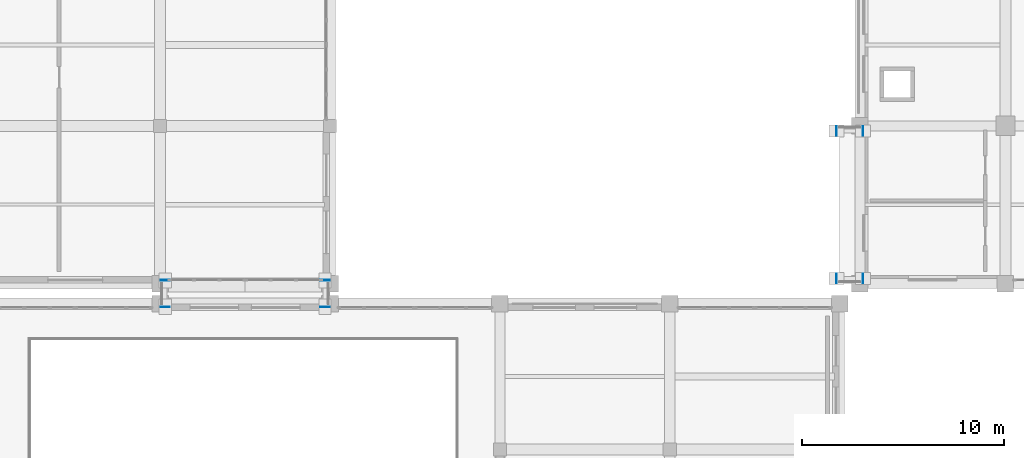
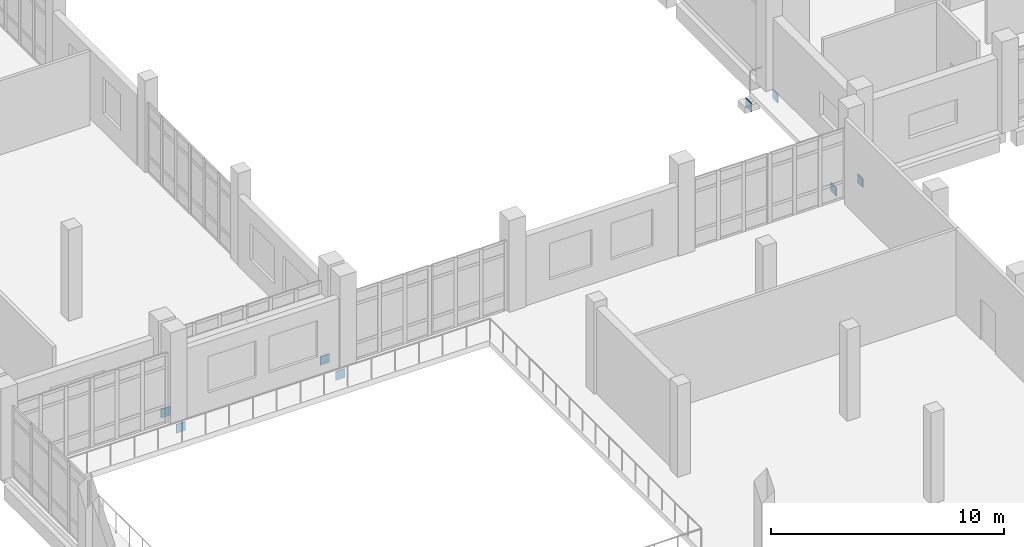
# One storey, part 74 of 90: 8 discrete accessories.
"""IFC4 building model written with IfcOpenShell, lengths in metres."""

from ifc_helpers import new_model, si_unit, direction, frame, origin, origin_2d, place, context, subcontext, project, spatial, rectangle, extrude, material, material_profile, profile_set, type_object, element, save


model = new_model("IFC4")

# Units and contexts
model_context = context("Model", 3, precision=1e-05, world=origin(), true_north=direction((0.0, 1.0)))
body_context = subcontext(model_context, "Body", "Model", "MODEL_VIEW")
ifc_project = project(units=[si_unit("LENGTHUNIT", "METRE"), si_unit("AREAUNIT", "SQUARE_METRE"), si_unit("VOLUMEUNIT", "CUBIC_METRE"), si_unit("PLANEANGLEUNIT", "RADIAN"), si_unit("MASSUNIT", "GRAM", prefix="KILO")], contexts=[model_context])

# Site, building, storey
site_placement = place(None, origin())
site = spatial("IfcSite", under=ifc_project, at=site_placement, CompositionType="ELEMENT")
building_placement = place(site_placement, origin())
building = spatial("IfcBuilding", under=site, at=building_placement, Name="Kelarvand Opera House", CompositionType="ELEMENT")
storey_placement = place(building_placement, frame((0.0, 0.0, 5.39990234375)))
storey = spatial("IfcBuildingStorey", under=building, at=storey_placement, Name="L01", CompositionType="ELEMENT", Elevation=5.39990234375)

# Discrete accessories
ifc_material = material(Name="Steel S355", Category="steel")
ifc_material_profile = material_profile(ifc_material, rectangle(XDim=0.4599609375, YDim=0.4599609375, at=origin_2d()), Name="Welded Steel Hollow End-Cap Plate 460x460x24", Category="steel")
ifc_profile_set = profile_set([ifc_material_profile], Name="Steel S355")
discrete_accessory_type = type_object("IfcDiscreteAccessoryType", Name="Welded Steel Hollow End-Cap Plate 460x460x24", PredefinedType="SHOE", material=ifc_profile_set)
for number, where, z_axis, x_axis, name in (
    (1, (50.85791015625, 39.050048828125, -0.52001953125), (-1.0, 0.0, 0.0), (0.0, -1.0, 0.0), "Hollow Section Welded End Cap 25"),
    (2, (52.14208984375, 39.050048828125, -0.52001953125), (1.0, 0.0, 0.0), (0.0, 1.0, 0.0), "Hollow Section Welded End Cap 26"),
    (3, (50.85791015625, 46.35009765625, -0.52001953125), (-1.0, 0.0, 0.0), (0.0, -1.0, 0.0), "Hollow Section Welded End Cap 27"),
    (4, (52.14208984375, 46.35009765625, -0.52001953125), (1.0, 0.0, 0.0), (0.0, 1.0, 0.0), "Hollow Section Welded End Cap 28"),
    (5, (17.64990234375, 37.657958984375, -0.52001953125), (0.0, -1.0, 0.0), (1.0, 0.0, 0.0), "Hollow Section Welded End Cap 89"),
):
    element("IfcDiscreteAccessory", number, at=place(storey_placement, frame(where, z_axis=z_axis, x_axis=x_axis)), inside=storey, type_object=discrete_accessory_type, Name=name, PredefinedType="SHOE", context=body_context, shape_type="SweptSolid", body=[
        extrude(rectangle(XDim=0.4599609375, YDim=0.4599609375, at=origin_2d()), origin(), (0.0, 0.0, 1.0), 0.035888671875),
    ])
discrete_accessory_1_placement = place(storey_placement, frame((17.64990234375, 38.94189453125, -0.52001953125), z_axis=(0.0, 1.0, 0.0), x_axis=(-1.0, 0.0, 0.0)))
element("IfcDiscreteAccessory", 6, at=discrete_accessory_1_placement, inside=storey, type_object=discrete_accessory_type, Name="Hollow Section Welded End Cap 90", PredefinedType="SHOE", context=body_context, shape_type="SweptSolid", body=[
    extrude(rectangle(XDim=0.4599609375, YDim=0.4599609375, at=origin_2d()), origin(), (0.0, 0.0, 1.0), 0.0361328125),
])
discrete_accessory_2_placement = place(storey_placement, frame((25.550048828125, 37.657958984375, -0.52001953125), z_axis=(0.0, -1.0, 0.0), x_axis=(1.0, 0.0, 0.0)))
element("IfcDiscreteAccessory", 7, at=discrete_accessory_2_placement, inside=storey, type_object=discrete_accessory_type, Name="Hollow Section Welded End Cap 91", PredefinedType="SHOE", context=body_context, shape_type="SweptSolid", body=[
    extrude(rectangle(XDim=0.4599609375, YDim=0.4599609375, at=origin_2d()), origin(), (0.0, 0.0, 1.0), 0.035888671875),
])
discrete_accessory_3_placement = place(storey_placement, frame((25.550048828125, 38.94189453125, -0.52001953125), z_axis=(0.0, 1.0, 0.0), x_axis=(-1.0, 0.0, 0.0)))
element("IfcDiscreteAccessory", 8, at=discrete_accessory_3_placement, inside=storey, type_object=discrete_accessory_type, Name="Hollow Section Welded End Cap 92", PredefinedType="SHOE", context=body_context, shape_type="SweptSolid", body=[
    extrude(rectangle(XDim=0.4599609375, YDim=0.4599609375, at=origin_2d()), origin(), (0.0, 0.0, 1.0), 0.0361328125),
])

save(model, "model.ifc")
